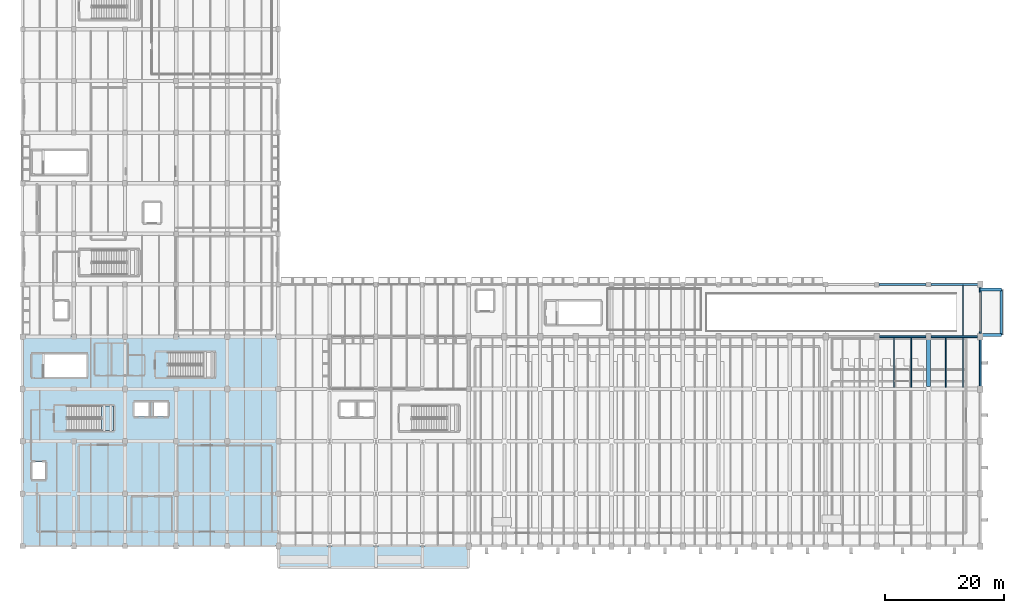
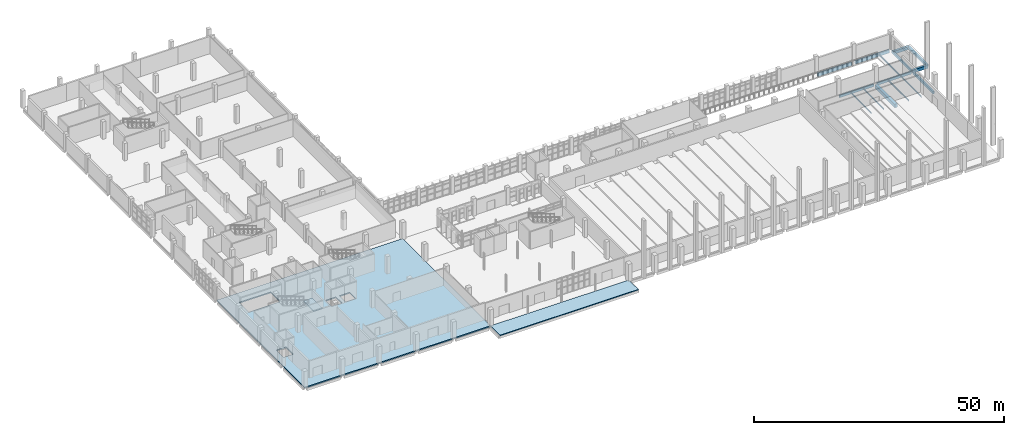
# One storey, part 49 of 76: 15 beams, 3 slabs, 1 element without a shape of its own.
"""IFC4 building model written with IfcOpenShell, lengths in metres."""

from ifc_helpers import new_model, si_unit, direction, frame, origin, origin_2d, place, context, subcontext, project, spatial, polyline, rectangle, i_section, outline, extrude, material, layer, layer_set, material_profile, profile_set, type_object, element, aggregate, save


model = new_model("IFC4")

# Units and contexts
model_context = context("Model", 3, precision=1e-05, world=origin(), true_north=direction((0.0, 1.0)))
body_context = subcontext(model_context, "Body", "Model", "MODEL_VIEW")
ifc_project = project(units=[si_unit("LENGTHUNIT", "METRE"), si_unit("AREAUNIT", "SQUARE_METRE"), si_unit("VOLUMEUNIT", "CUBIC_METRE"), si_unit("PLANEANGLEUNIT", "RADIAN"), si_unit("MASSUNIT", "GRAM", prefix="KILO")], contexts=[model_context])

# Site, building, storey
site_placement = place(None, origin())
site = spatial("IfcSite", under=ifc_project, at=site_placement, CompositionType="ELEMENT")
building_placement = place(site_placement, origin())
building = spatial("IfcBuilding", under=site, at=building_placement, Name="Varnakota Cinema and Media Centre", CompositionType="ELEMENT")
storey_placement = place(building_placement, origin())
storey = spatial("IfcBuildingStorey", under=building, at=storey_placement, Name="L00", CompositionType="ELEMENT", Elevation=0.0)

# Beams
ifc_material_1 = material(Name="Concrete M35", Category="concrete")
ifc_material_profile_1 = material_profile(ifc_material_1, rectangle(XDim=0.449951171875, YDim=0.60009765625, at=origin_2d()), Name="RCB 450x600")
ifc_profile_set_1 = profile_set([ifc_material_profile_1], Name="Concrete M35")
beam_type_1 = type_object("IfcBeamType", Name="BM-RC-450x600", PredefinedType="BEAM", material=ifc_profile_set_1)
beam_1_placement = place(storey_placement, frame((164.550048828125, 35.5, -0.5), z_axis=(0.0, 1.0, 0.0), x_axis=(-1.0, 0.0, 0.0)))
element("IfcBeam", 1, at=beam_1_placement, inside=storey, type_object=beam_type_1, Name="East ramp apron edge beam", PredefinedType="BEAM", context=body_context, shape_type="SweptSolid", body=[
    extrude(rectangle(XDim=0.449951171875, YDim=0.60009765625, at=origin_2d()), origin(), (0.0, 0.0, 1.0), 7.60009765625),
])
ifc_material_2 = material(Name="Concrete M35", Category="concrete")
ifc_material_profile_2 = material_profile(ifc_material_2, rectangle(XDim=0.5, YDim=0.75, at=origin_2d()), Name="RCB 500x750")
ifc_profile_set_2 = profile_set([ifc_material_profile_2], Name="Concrete M35")
beam_type_2 = type_object("IfcBeamType", Name="BM-RC-500x750", PredefinedType="BEAM", material=ifc_profile_set_2)
for number, where, z_axis, x_axis, name in (
    (2, (161.0, 35.5, -0.574951171875), (1.0, 0.0, 0.0), (0.0, 1.0, 0.0), "East ramp apron grade beam 1"),
    (3, (161.0, 43.10009765625, -0.574951171875), (1.0, 0.0, 0.0), (0.0, 1.0, 0.0), "East ramp apron grade beam 2"),
):
    element("IfcBeam", number, at=place(storey_placement, frame(where, z_axis=z_axis, x_axis=x_axis)), inside=storey, type_object=beam_type_2, Name=name, PredefinedType="BEAM", context=body_context, shape_type="SweptSolid", body=[
        extrude(rectangle(XDim=0.5, YDim=0.75, at=origin_2d()), origin(), (0.0, 0.0, 1.0), 3.550048828125),
    ])
ifc_material_3 = material(Name="Concrete M40", Category="concrete")
ifc_material_profile_3 = material_profile(ifc_material_3, rectangle(XDim=0.60009765625, YDim=0.89990234375, at=origin_2d()), Name="RCB 600x900")
ifc_profile_set_3 = profile_set([ifc_material_profile_3], Name="Concrete M40")
beam_type_3 = type_object("IfcBeamType", Name="BM-RC-600x900", PredefinedType="BEAM", material=ifc_profile_set_3)
beam_2_placement = place(storey_placement, frame((152.300048828125, 26.824951171875, -0.72998046875), z_axis=(0.0, 1.0, 0.0), x_axis=(-1.0, 0.0, 0.0)))
element("IfcBeam", 4, at=beam_2_placement, inside=storey, type_object=beam_type_3, Name="L00 girder X/4-5", PredefinedType="BEAM", context=body_context, shape_type="SweptSolid", body=[
    extrude(rectangle(XDim=0.60009765625, YDim=0.89990234375, at=origin_2d()), origin(), (0.0, 0.0, 1.0), 7.925048828125),
])
ifc_material_4 = material(Name="Concrete M35", Category="concrete")
ifc_material_profile_4 = material_profile(ifc_material_4, rectangle(XDim=0.300048828125, YDim=0.60009765625, at=origin_2d()), Name="RCB 300x600")
ifc_profile_set_4 = profile_set([ifc_material_profile_4], Name="Concrete M35")
beam_type_4 = type_object("IfcBeamType", Name="BM-SP-300x600", PredefinedType="SPANDREL", material=ifc_profile_set_4)
for number, where, z_axis, x_axis, name in (
    (5, (144.02490234375, 35.199951171875, -0.580078125), (1.0, 0.0, 0.0), (0.0, 1.0, 0.0), "L00 girder W-X/5"),
    (6, (152.699951171875, 35.199951171875, -0.580078125), (1.0, 0.0, 0.0), (0.0, 1.0, 0.0), "L00 girder X-Y/5"),
):
    element("IfcBeam", number, at=place(storey_placement, frame(where, z_axis=z_axis, x_axis=x_axis)), inside=storey, type_object=beam_type_4, Name=name, PredefinedType="SPANDREL", context=body_context, shape_type="SweptSolid", body=[
        extrude(rectangle(XDim=0.300048828125, YDim=0.60009765625, at=origin_2d()), origin(), (0.0, 0.0, 1.0), 7.875),
    ])
beam_3_placement = place(storey_placement, frame((161.0, 26.85009765625, -0.580078125), z_axis=(0.0, 1.0, 0.0), x_axis=(-1.0, 0.0, 0.0)))
element("IfcBeam", 7, at=beam_3_placement, inside=storey, type_object=beam_type_4, Name="L00 girder Y/4-5", PredefinedType="SPANDREL", context=body_context, shape_type="SweptSolid", body=[
    extrude(rectangle(XDim=0.300048828125, YDim=0.60009765625, at=origin_2d()), origin(), (0.0, 0.0, 1.0), 7.9248046875),
])
beam_4_placement = place(storey_placement, frame((161.0, 35.625, -0.580078125), z_axis=(0.0, 1.0, 0.0), x_axis=(-1.0, 0.0, 0.0)))
element("IfcBeam", 8, at=beam_4_placement, inside=storey, type_object=beam_type_4, Name="L00 girder Y/5-6", PredefinedType="SPANDREL", context=body_context, shape_type="SweptSolid", body=[
    extrude(rectangle(XDim=0.300048828125, YDim=0.60009765625, at=origin_2d()), origin(), (0.0, 0.0, 1.0), 7.925048828125),
])
ifc_material_5 = material(Name="Concrete M40", Category="concrete")
ifc_material_profile_5 = material_profile(ifc_material_5, rectangle(XDim=0.35009765625, YDim=0.75, at=origin_2d()), Name="RCB 350x750")
ifc_profile_set_5 = profile_set([ifc_material_profile_5], Name="Concrete M40")
beam_type_5 = type_object("IfcBeamType", Name="BM-SP-350x750", PredefinedType="SPANDREL", material=ifc_profile_set_5)
for number, where, z_axis, x_axis, name in (
    (9, (144.0, 44.0, -0.655029296875), (1.0, 0.0, 0.0), (0.0, 1.0, 0.0), "L00 girder W-X/6"),
    (10, (152.72509765625, 44.0, -0.655029296875), (1.0, 0.0, 0.0), (0.0, 1.0, 0.0), "L00 girder X-Y/6"),
):
    element("IfcBeam", number, at=place(storey_placement, frame(where, z_axis=z_axis, x_axis=x_axis)), inside=storey, type_object=beam_type_5, Name=name, PredefinedType="SPANDREL", context=body_context, shape_type="SweptSolid", body=[
        extrude(rectangle(XDim=0.35009765625, YDim=0.75, at=origin_2d()), origin(), (0.0, 0.0, 1.0), 7.875),
    ])
ifc_material_6 = material(Name="Structural steel Grade 350 (E350)", Category="steel")
ifc_material_profile_6 = material_profile(ifc_material_6, i_section(OverallWidth=0.139892578125, OverallDepth=0.300048828125, WebThickness=0.0078125, FlangeThickness=0.01318359375, FilletRadius=0.013916015625, at=origin_2d()), Name="ISMB 300")
ifc_profile_set_6 = profile_set([ifc_material_profile_6], Name="Structural steel Grade 350 (E350)")
beam_type_6 = type_object("IfcBeamType", Name="BM-ST-ISMB300", PredefinedType="JOIST", material=ifc_profile_set_6)
for number, where, z_axis, x_axis, name in (
    (11, (146.5, 26.675048828125, -0.429931640625), (0.0, 1.0, 0.0), (-1.0, 0.0, 0.0), "L00 steel joist W-X/4-5 #1"),
    (12, (149.39990234375, 26.675048828125, -0.429931640625), (0.0, 1.0, 0.0), (-1.0, 0.0, 0.0), "L00 steel joist W-X/4-5 #2"),
):
    element("IfcBeam", number, at=place(storey_placement, frame(where, z_axis=z_axis, x_axis=x_axis)), inside=storey, type_object=beam_type_6, Name=name, PredefinedType="JOIST", context=body_context, shape_type="SweptSolid", body=[
        extrude(i_section(OverallWidth=0.139892578125, OverallDepth=0.300048828125, WebThickness=0.0078125, FlangeThickness=0.01318359375, FilletRadius=0.013916015625, at=origin_2d()), origin(), (0.0, 0.0, 1.0), 8.375),
    ])
ifc_material_7 = material(Name="Structural steel Grade 350 (E350)", Category="steel")
ifc_material_profile_7 = material_profile(ifc_material_7, i_section(OverallWidth=0.139892578125, OverallDepth=0.35009765625, WebThickness=0.008056640625, FlangeThickness=0.01416015625, FilletRadius=0.013916015625, at=origin_2d()), Name="ISMB 350")
ifc_profile_set_7 = profile_set([ifc_material_profile_7], Name="Structural steel Grade 350 (E350)")
beam_type_7 = type_object("IfcBeamType", Name="BM-ST-ISMB350", PredefinedType="JOIST", material=ifc_profile_set_7)
for number, where, z_axis, x_axis, name in (
    (13, (155.199951171875, 26.699951171875, -0.455078125), (0.0, 1.0, 0.0), (-1.0, 0.0, 0.0), "L00 steel joist X-Y/4-5 #1"),
    (14, (158.10009765625, 26.699951171875, -0.455078125), (0.0, 1.0, 0.0), (-1.0, 0.0, 0.0), "L00 steel joist X-Y/4-5 #2"),
):
    element("IfcBeam", number, at=place(storey_placement, frame(where, z_axis=z_axis, x_axis=x_axis)), inside=storey, type_object=beam_type_7, Name=name, PredefinedType="JOIST", context=body_context, shape_type="SweptSolid", body=[
        extrude(i_section(OverallWidth=0.139892578125, OverallDepth=0.35009765625, WebThickness=0.008056640625, FlangeThickness=0.01416015625, FilletRadius=0.013916015625, at=origin_2d()), origin(), (0.0, 0.0, 1.0), 8.35009765625),
    ])
ifc_material_8 = material(Name="Structural steel Grade 350 (E350)", Category="steel")
ifc_material_profile_8 = material_profile(ifc_material_8, i_section(OverallWidth=0.139892578125, OverallDepth=0.39990234375, WebThickness=0.0087890625, FlangeThickness=0.01611328125, FilletRadius=0.013916015625, at=origin_2d()), Name="ISMB 400")
ifc_profile_set_8 = profile_set([ifc_material_profile_8], Name="Structural steel Grade 350 (E350)")
beam_type_8 = type_object("IfcBeamType", Name="BM-ST-ISMB400", PredefinedType="JOIST", material=ifc_profile_set_8)
beam_5_placement = place(storey_placement, frame((158.10009765625, 35.35009765625, -0.47998046875), z_axis=(0.0, 1.0, 0.0), x_axis=(-1.0, 0.0, 0.0)))
element("IfcBeam", 15, at=beam_5_placement, inside=storey, type_object=beam_type_8, Name="L00 steel joist X-Y/5-6 #2", PredefinedType="JOIST", context=body_context, shape_type="SweptSolid", body=[
    extrude(i_section(OverallWidth=0.139892578125, OverallDepth=0.39990234375, WebThickness=0.0087890625, FlangeThickness=0.01611328125, FilletRadius=0.013916015625, at=origin_2d()), origin(), (0.0, 0.0, 1.0), 8.474853515625),
])

# Slabs
ifc_material_9 = material(Name="Concrete M35", Category="concrete")
ifc_layer_1 = layer(ifc_material_9, 0.199951171875)
ifc_layer_set_1 = layer_set([ifc_layer_1], Name="Concrete M35")
slab_type_1 = type_object("IfcSlabType", Name="SLB-APRON-200", PredefinedType="BASESLAB", material=ifc_layer_set_1)
slab_1_placement = place(storey_placement, frame((0.0, 0.0, -0.199951171875)))
element("IfcSlab", 16, at=slab_1_placement, inside=storey, type_object=slab_type_1, Name="L00 South Civic Entrance Forecourt", PredefinedType="BASESLAB", context=body_context, shape_type="SweptSolid", body=[
    extrude(outline(polyline([(43.0, -3.800048828125), (75.0, -3.800048828125), (75.0, 0.0), (43.0, 0.0), (43.0, -3.800048828125)])), origin(), (0.0, 0.0, 1.0), 0.199951171875),
])
ifc_material_10 = material(Name="Concrete M35", Category="concrete")
ifc_layer_2 = layer(ifc_material_10, 0.280029296875)
ifc_layer_set_2 = layer_set([ifc_layer_2], Name="Concrete M35")
slab_type_2 = type_object("IfcSlabType", Name="SLB-FLR-280", PredefinedType="FLOOR", material=ifc_layer_set_2)
slab_2_placement = place(storey_placement, frame((0.0, 0.0, -0.280029296875)))
element("IfcSlab", 17, at=slab_2_placement, inside=storey, type_object=slab_type_2, Name="L00 V4 floor slab", PredefinedType="FLOOR", context=body_context, shape_type="SweptSolid", body=[
    extrude(outline(polyline([(0.0, 0.0), (43.0, 0.0), (43.0, 35.199951171875), (0.0, 35.199951171875), (0.0, 0.0)]), holes=[polyline([(3.449951171875, 28.39990234375), (10.760009765625, 28.39990234375), (10.760009765625, 32.25), (3.449951171875, 32.25), (3.449951171875, 28.39990234375)]), polyline([(1.60009765625, 11.199951171875), (3.800048828125, 11.199951171875), (3.800048828125, 14.10009765625), (1.60009765625, 14.10009765625), (1.60009765625, 11.199951171875)]), polyline([(18.800048828125, 21.800048828125), (21.199951171875, 21.800048828125), (21.199951171875, 24.199951171875), (18.800048828125, 24.199951171875), (18.800048828125, 21.800048828125)]), polyline([(22.0, 21.800048828125), (24.39990234375, 21.800048828125), (24.39990234375, 24.199951171875), (22.0, 24.199951171875), (22.0, 21.800048828125)])]), origin(), (0.0, 0.0, 1.0), 0.280029296875),
])

# Stair, slab
ifc_material_11 = material(Name="Concrete M35", Category="concrete")
stair_type = type_object("IfcStairType", Name="STR-CORE-ST-01-2000", PredefinedType="HALF_TURN_STAIR", material=ifc_material_11)
stair_placement = place(storey_placement, origin())
stair = element("IfcStair", 18, at=stair_placement, inside=storey, type_object=stair_type, Name="L00 West Firefighting Stair 1", PredefinedType="HALF_TURN_STAIR")
ifc_material_12 = material(Name="Concrete M35", Category="concrete")
ifc_layer_3 = layer(ifc_material_12, 0.199951171875)
ifc_layer_set_3 = layer_set([ifc_layer_3], Name="Concrete M35")
slab_type_3 = type_object("IfcSlabType", Name="SLB-LAND-ST-01", PredefinedType="LANDING", material=ifc_layer_set_3)
slab_3_placement = place(storey_placement, frame((0.0, 0.0, 2.050048828125)))
slab_3 = element("IfcSlab", 19, at=slab_3_placement, type_object=slab_type_3, Name="ST-01 landing 1", PredefinedType="LANDING", context=body_context, shape_type="SweptSolid", body=[
    extrude(outline(polyline([(13.280029296875, 19.39990234375), (15.280029296875, 19.39990234375), (15.280029296875, 23.550048828125), (13.280029296875, 23.550048828125), (13.280029296875, 19.39990234375)])), origin(), (0.0, 0.0, 1.0), 0.199951171875),
])
aggregate(stair, [slab_3])

save(model, "model.ifc")
